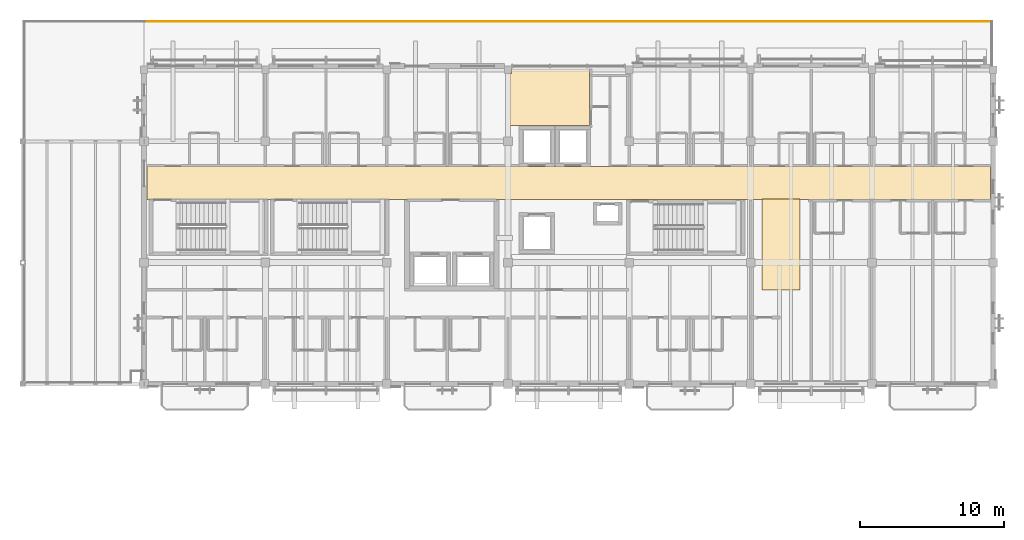
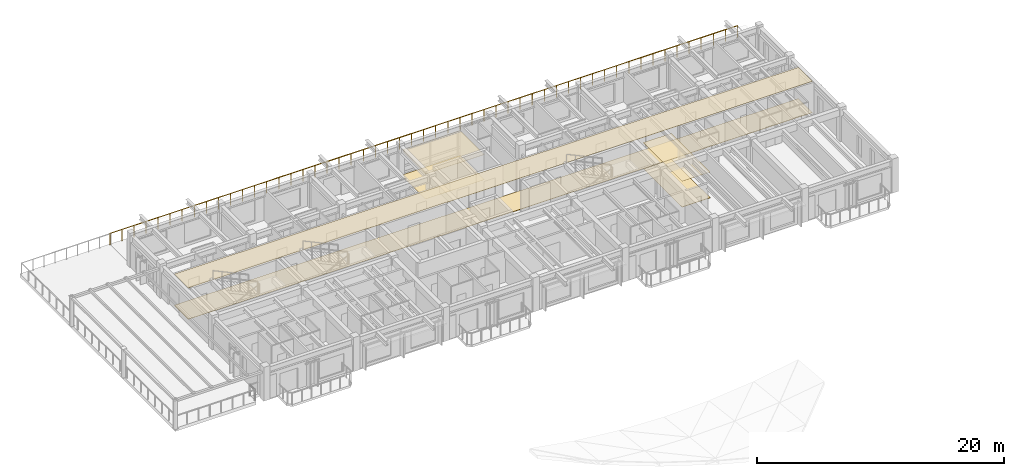
# One storey, part 21 of 22: 6 coverings, 1 railing.
"""IFC4 building model written with IfcOpenShell, lengths in metres."""

from ifc_helpers import new_model, si_unit, direction, frame, origin, origin_2d, place, context, subcontext, project, spatial, polyline, circle, outline, extrude, material, layer, layer_set, type_object, element, save


model = new_model("IFC4")

# Units and contexts
model_context = context("Model", 3, precision=1e-05, world=origin(), true_north=direction((0.0, 1.0)))
body_context = subcontext(model_context, "Body", "Model", "MODEL_VIEW")
ifc_project = project(units=[si_unit("LENGTHUNIT", "METRE"), si_unit("AREAUNIT", "SQUARE_METRE"), si_unit("VOLUMEUNIT", "CUBIC_METRE"), si_unit("PLANEANGLEUNIT", "RADIAN"), si_unit("MASSUNIT", "GRAM", prefix="KILO")], contexts=[model_context])

# Site, building, storey
site_placement = place(None, origin())
site = spatial("IfcSite", under=ifc_project, at=site_placement, CompositionType="ELEMENT")
building_placement = place(site_placement, origin())
building = spatial("IfcBuilding", under=site, at=building_placement, Name="Cumbredor Promenade Congress Hotel", CompositionType="ELEMENT")
storey_placement = place(building_placement, frame((0.0, 0.0, 28.56005859375)))
storey = spatial("IfcBuildingStorey", under=building, at=storey_placement, Name="L08", CompositionType="ELEMENT", Elevation=28.56005859375)

# Coverings
ifc_material_1 = material(Name="Acoustic mineral-fiber and gypsum ceiling")
ifc_layer_1 = layer(ifc_material_1, 0.01806640625, Name="Acoustic mineral-fiber and gypsum ceiling")
ifc_layer_set_1 = layer_set([ifc_layer_1], Name="Acoustic mineral-fiber and gypsum ceiling")
covering_type_1 = type_object("IfcCoveringType", Name="Acoustic Perforated Gypsum Ceiling CLG-01 18mm", PredefinedType="CEILING", material=ifc_layer_set_1)
covering_1_placement = place(storey_placement, frame((0.0, 0.0, 2.553955078125)))
element("IfcCovering", 1, at=covering_1_placement, inside=storey, type_object=covering_type_1, Name="L08 East Corridor Connector Acoustic Ceiling", PredefinedType="CEILING", context=body_context, shape_type="SweptSolid", body=[
    extrude(outline(polyline([(53.820068359375, 98.89990234375), (53.820068359375, 105.219970703125), (51.179931640625, 105.219970703125), (51.179931640625, 98.89990234375), (53.820068359375, 98.89990234375)])), origin(), (0.0, 0.0, 1.0), 0.01806640625),
])
ifc_layer_2 = layer(ifc_material_1, 0.028076171875, Name="Acoustic mineral-fiber and gypsum ceiling")
ifc_layer_set_2 = layer_set([ifc_layer_2], Name="Acoustic mineral-fiber and gypsum ceiling")
covering_type_2 = type_object("IfcCoveringType", Name="Acoustic Perforated Gypsum Ceiling CLG-03 28mm", PredefinedType="CEILING", material=ifc_layer_set_2)
covering_2_placement = place(storey_placement, frame((0.0, 0.0, 3.092041015625)))
element("IfcCovering", 2, at=covering_2_placement, inside=storey, type_object=covering_type_2, Name="L08 Hotel Guest Corridor Acoustic Ceiling", PredefinedType="CEILING", context=body_context, shape_type="SweptSolid", body=[
    extrude(outline(polyline([(67.007080078125, 105.179931640625), (67.007080078125, 107.469970703125), (8.593017578125, 107.469970703125), (8.593017578125, 105.179931640625), (67.007080078125, 105.179931640625)])), origin(), (0.0, 0.0, 1.0), 0.02783203125),
])
ifc_layer_3 = layer(ifc_material_1, 0.031982421875, Name="Acoustic mineral-fiber and gypsum ceiling")
ifc_layer_set_3 = layer_set([ifc_layer_3], Name="Acoustic mineral-fiber and gypsum ceiling")
covering_type_3 = type_object("IfcCoveringType", Name="Acoustic Perforated Gypsum Ceiling CLG-04 32mm", PredefinedType="CEILING", material=ifc_layer_set_3)
covering_3_placement = place(storey_placement, frame((0.0, 0.0, 2.47802734375)))
element("IfcCovering", 3, at=covering_3_placement, inside=storey, type_object=covering_type_3, Name="L08 Cordillera Reading Salon Acoustic Ceiling", PredefinedType="CEILING", context=body_context, shape_type="SweptSolid", body=[
    extrude(outline(polyline([(39.239990234375, 114.199951171875), (39.239990234375, 110.280029296875), (33.72998046875, 110.280029296875), (33.72998046875, 113.89501953125), (33.85498046875, 113.89501953125), (33.85498046875, 114.199951171875), (39.239990234375, 114.199951171875)])), origin(), (0.0, 0.0, 1.0), 0.031982421875),
])
ifc_material_2 = material(Name="Porcelain stoneware tile", Category="masonry")
ifc_layer_4 = layer(ifc_material_2, 0.02001953125, Name="Porcelain stoneware tile", Category="masonry")
ifc_layer_set_4 = layer_set([ifc_layer_4], Name="Porcelain stoneware tile")
covering_type_4 = type_object("IfcCoveringType", Name="Porcelain Stoneware Flooring FLR-01 20mm", PredefinedType="FLOORING", material=ifc_layer_set_4)
covering_4_placement = place(storey_placement, origin())
element("IfcCovering", 4, at=covering_4_placement, inside=storey, type_object=covering_type_4, Name="L08 Cordillera Reading Salon Porcelain Flooring", PredefinedType="FLOORING", context=body_context, shape_type="SweptSolid", body=[
    extrude(outline(polyline([(39.239990234375, 114.199951171875), (39.239990234375, 110.280029296875), (33.72998046875, 110.280029296875), (33.72998046875, 113.89501953125), (33.85498046875, 113.89501953125), (33.85498046875, 114.199951171875), (39.239990234375, 114.199951171875)])), origin(), (0.0, 0.0, 1.0), 0.02001953125),
])
ifc_layer_5 = layer(ifc_material_2, 0.02490234375, Name="Porcelain stoneware tile", Category="masonry")
ifc_layer_set_5 = layer_set([ifc_layer_5], Name="Porcelain stoneware tile")
covering_type_5 = type_object("IfcCoveringType", Name="Porcelain Stoneware Flooring FLR-02 25mm", PredefinedType="FLOORING", material=ifc_layer_set_5)
covering_5_placement = place(storey_placement, origin())
element("IfcCovering", 5, at=covering_5_placement, inside=storey, type_object=covering_type_5, Name="L08 East Corridor Connector Porcelain Flooring", PredefinedType="FLOORING", context=body_context, shape_type="SweptSolid", body=[
    extrude(outline(polyline([(53.820068359375, 98.89990234375), (53.820068359375, 105.219970703125), (51.179931640625, 105.219970703125), (51.179931640625, 98.89990234375), (53.820068359375, 98.89990234375)])), origin(), (0.0, 0.0, 1.0), 0.02490234375),
])
ifc_layer_6 = layer(ifc_material_2, 0.030029296875, Name="Porcelain stoneware tile", Category="masonry")
ifc_layer_set_6 = layer_set([ifc_layer_6], Name="Porcelain stoneware tile")
covering_type_6 = type_object("IfcCoveringType", Name="Porcelain Stoneware Flooring FLR-03 30mm", PredefinedType="FLOORING", material=ifc_layer_set_6)
covering_6_placement = place(storey_placement, origin())
element("IfcCovering", 6, at=covering_6_placement, inside=storey, type_object=covering_type_6, Name="L08 Hotel Guest Corridor Porcelain Flooring", PredefinedType="FLOORING", context=body_context, shape_type="SweptSolid", body=[
    extrude(outline(polyline([(67.007080078125, 105.179931640625), (67.007080078125, 107.469970703125), (8.593017578125, 107.469970703125), (8.593017578125, 105.179931640625), (67.007080078125, 105.179931640625)])), origin(), (0.0, 0.0, 1.0), 0.030029296875),
])

# Railing
ifc_material_3 = material(Name="Brushed stainless steel", Category="steel")
railing_type = type_object("IfcRailingType", Name="Sky Garden Glass-and-Steel Balustrade BAL-1150", PredefinedType="BALUSTRADE", material=ifc_material_3)
railing_placement = place(storey_placement, frame((8.35009765625, 117.5, 0.0)))
element("IfcRailing", 7, at=railing_placement, inside=storey, type_object=railing_type, Name="L08 Hotel Step 3 North Cordillera Veranda Balustrade 76", PredefinedType="BALUSTRADE", context=body_context, shape_type="SweptSolid", body=[
    extrude(circle(Radius=0.02392578125, at=origin_2d()), frame((0.0, 0.0, 1.1259765625), z_axis=(1.0, 0.0, 0.0), x_axis=(0.0, 1.0, 0.0)), (0.0, 0.0, 1.0), 58.75),
    extrude(circle(Radius=0.02099609375, at=origin_2d()), origin(), (0.0, 0.0, 1.0), 1.101806640625),
    extrude(circle(Radius=0.02099609375, at=origin_2d()), frame((1.1298828125, 0.0, 0.0)), (0.0, 0.0, 1.0), 1.101806640625),
    extrude(circle(Radius=0.02099609375, at=origin_2d()), frame((2.259521484375, 0.0, 0.0)), (0.0, 0.0, 1.0), 1.101806640625),
    extrude(circle(Radius=0.02099609375, at=origin_2d()), frame((3.389404296875, 0.0, 0.0)), (0.0, 0.0, 1.0), 1.101806640625),
    extrude(circle(Radius=0.02099609375, at=origin_2d()), frame((4.519287109375, 0.0, 0.0)), (0.0, 0.0, 1.0), 1.101806640625),
    extrude(circle(Radius=0.02099609375, at=origin_2d()), frame((5.64892578125, 0.0, 0.0)), (0.0, 0.0, 1.0), 1.101806640625),
    extrude(circle(Radius=0.02099609375, at=origin_2d()), frame((6.77880859375, 0.0, 0.0)), (0.0, 0.0, 1.0), 1.101806640625),
    extrude(circle(Radius=0.02099609375, at=origin_2d()), frame((7.90869140625, 0.0, 0.0)), (0.0, 0.0, 1.0), 1.101806640625),
    extrude(circle(Radius=0.02099609375, at=origin_2d()), frame((9.03857421875, 0.0, 0.0)), (0.0, 0.0, 1.0), 1.101806640625),
    extrude(circle(Radius=0.02099609375, at=origin_2d()), frame((10.168212890625, 0.0, 0.0)), (0.0, 0.0, 1.0), 1.101806640625),
    extrude(circle(Radius=0.02099609375, at=origin_2d()), frame((11.298095703125, 0.0, 0.0)), (0.0, 0.0, 1.0), 1.101806640625),
    extrude(circle(Radius=0.02099609375, at=origin_2d()), frame((12.427978515625, 0.0, 0.0)), (0.0, 0.0, 1.0), 1.101806640625),
    extrude(circle(Radius=0.02099609375, at=origin_2d()), frame((13.5576171875, 0.0, 0.0)), (0.0, 0.0, 1.0), 1.101806640625),
    extrude(circle(Radius=0.02099609375, at=origin_2d()), frame((14.6875, 0.0, 0.0)), (0.0, 0.0, 1.0), 1.101806640625),
    extrude(circle(Radius=0.02099609375, at=origin_2d()), frame((15.8173828125, 0.0, 0.0)), (0.0, 0.0, 1.0), 1.101806640625),
    extrude(circle(Radius=0.02099609375, at=origin_2d()), frame((16.947021484375, 0.0, 0.0)), (0.0, 0.0, 1.0), 1.101806640625),
    extrude(circle(Radius=0.02099609375, at=origin_2d()), frame((18.076904296875, 0.0, 0.0)), (0.0, 0.0, 1.0), 1.101806640625),
    extrude(circle(Radius=0.02099609375, at=origin_2d()), frame((19.206787109375, 0.0, 0.0)), (0.0, 0.0, 1.0), 1.101806640625),
    extrude(circle(Radius=0.02099609375, at=origin_2d()), frame((20.33642578125, 0.0, 0.0)), (0.0, 0.0, 1.0), 1.101806640625),
    extrude(circle(Radius=0.02099609375, at=origin_2d()), frame((21.46630859375, 0.0, 0.0)), (0.0, 0.0, 1.0), 1.101806640625),
    extrude(circle(Radius=0.02099609375, at=origin_2d()), frame((22.59619140625, 0.0, 0.0)), (0.0, 0.0, 1.0), 1.101806640625),
    extrude(circle(Radius=0.02099609375, at=origin_2d()), frame((23.72607421875, 0.0, 0.0)), (0.0, 0.0, 1.0), 1.101806640625),
    extrude(circle(Radius=0.02099609375, at=origin_2d()), frame((24.855712890625, 0.0, 0.0)), (0.0, 0.0, 1.0), 1.101806640625),
    extrude(circle(Radius=0.02099609375, at=origin_2d()), frame((25.985595703125, 0.0, 0.0)), (0.0, 0.0, 1.0), 1.101806640625),
    extrude(circle(Radius=0.02099609375, at=origin_2d()), frame((27.115478515625, 0.0, 0.0)), (0.0, 0.0, 1.0), 1.101806640625),
    extrude(circle(Radius=0.02099609375, at=origin_2d()), frame((28.2451171875, 0.0, 0.0)), (0.0, 0.0, 1.0), 1.101806640625),
    extrude(circle(Radius=0.02099609375, at=origin_2d()), frame((29.375, 0.0, 0.0)), (0.0, 0.0, 1.0), 1.101806640625),
    extrude(circle(Radius=0.02099609375, at=origin_2d()), frame((30.5048828125, 0.0, 0.0)), (0.0, 0.0, 1.0), 1.101806640625),
    extrude(circle(Radius=0.02099609375, at=origin_2d()), frame((31.634521484375, 0.0, 0.0)), (0.0, 0.0, 1.0), 1.101806640625),
    extrude(circle(Radius=0.02099609375, at=origin_2d()), frame((32.764404296875, 0.0, 0.0)), (0.0, 0.0, 1.0), 1.101806640625),
    extrude(circle(Radius=0.02099609375, at=origin_2d()), frame((33.894287109375, 0.0, 0.0)), (0.0, 0.0, 1.0), 1.101806640625),
    extrude(circle(Radius=0.02099609375, at=origin_2d()), frame((35.02392578125, 0.0, 0.0)), (0.0, 0.0, 1.0), 1.101806640625),
    extrude(circle(Radius=0.02099609375, at=origin_2d()), frame((36.15380859375, 0.0, 0.0)), (0.0, 0.0, 1.0), 1.101806640625),
    extrude(circle(Radius=0.02099609375, at=origin_2d()), frame((37.28369140625, 0.0, 0.0)), (0.0, 0.0, 1.0), 1.101806640625),
    extrude(circle(Radius=0.02099609375, at=origin_2d()), frame((38.41357421875, 0.0, 0.0)), (0.0, 0.0, 1.0), 1.101806640625),
    extrude(circle(Radius=0.02099609375, at=origin_2d()), frame((39.543212890625, 0.0, 0.0)), (0.0, 0.0, 1.0), 1.101806640625),
    extrude(circle(Radius=0.02099609375, at=origin_2d()), frame((40.673095703125, 0.0, 0.0)), (0.0, 0.0, 1.0), 1.101806640625),
    extrude(circle(Radius=0.02099609375, at=origin_2d()), frame((41.802978515625, 0.0, 0.0)), (0.0, 0.0, 1.0), 1.101806640625),
    extrude(circle(Radius=0.02099609375, at=origin_2d()), frame((42.9326171875, 0.0, 0.0)), (0.0, 0.0, 1.0), 1.101806640625),
    extrude(circle(Radius=0.02099609375, at=origin_2d()), frame((44.0625, 0.0, 0.0)), (0.0, 0.0, 1.0), 1.101806640625),
    extrude(circle(Radius=0.02099609375, at=origin_2d()), frame((45.1923828125, 0.0, 0.0)), (0.0, 0.0, 1.0), 1.101806640625),
    extrude(circle(Radius=0.02099609375, at=origin_2d()), frame((46.322021484375, 0.0, 0.0)), (0.0, 0.0, 1.0), 1.101806640625),
    extrude(circle(Radius=0.02099609375, at=origin_2d()), frame((47.451904296875, 0.0, 0.0)), (0.0, 0.0, 1.0), 1.101806640625),
    extrude(circle(Radius=0.02099609375, at=origin_2d()), frame((48.581787109375, 0.0, 0.0)), (0.0, 0.0, 1.0), 1.101806640625),
    extrude(circle(Radius=0.02099609375, at=origin_2d()), frame((49.71142578125, 0.0, 0.0)), (0.0, 0.0, 1.0), 1.101806640625),
    extrude(circle(Radius=0.02099609375, at=origin_2d()), frame((50.84130859375, 0.0, 0.0)), (0.0, 0.0, 1.0), 1.101806640625),
    extrude(circle(Radius=0.02099609375, at=origin_2d()), frame((51.97119140625, 0.0, 0.0)), (0.0, 0.0, 1.0), 1.101806640625),
    extrude(circle(Radius=0.02099609375, at=origin_2d()), frame((53.10107421875, 0.0, 0.0)), (0.0, 0.0, 1.0), 1.101806640625),
    extrude(circle(Radius=0.02099609375, at=origin_2d()), frame((54.230712890625, 0.0, 0.0)), (0.0, 0.0, 1.0), 1.101806640625),
    extrude(circle(Radius=0.02099609375, at=origin_2d()), frame((55.360595703125, 0.0, 0.0)), (0.0, 0.0, 1.0), 1.101806640625),
    extrude(circle(Radius=0.02099609375, at=origin_2d()), frame((56.490478515625, 0.0, 0.0)), (0.0, 0.0, 1.0), 1.101806640625),
    extrude(circle(Radius=0.02099609375, at=origin_2d()), frame((57.6201171875, 0.0, 0.0)), (0.0, 0.0, 1.0), 1.101806640625),
    extrude(circle(Radius=0.02099609375, at=origin_2d()), frame((58.75, 0.0, 0.0)), (0.0, 0.0, 1.0), 1.101806640625),
])

save(model, "model.ifc")
